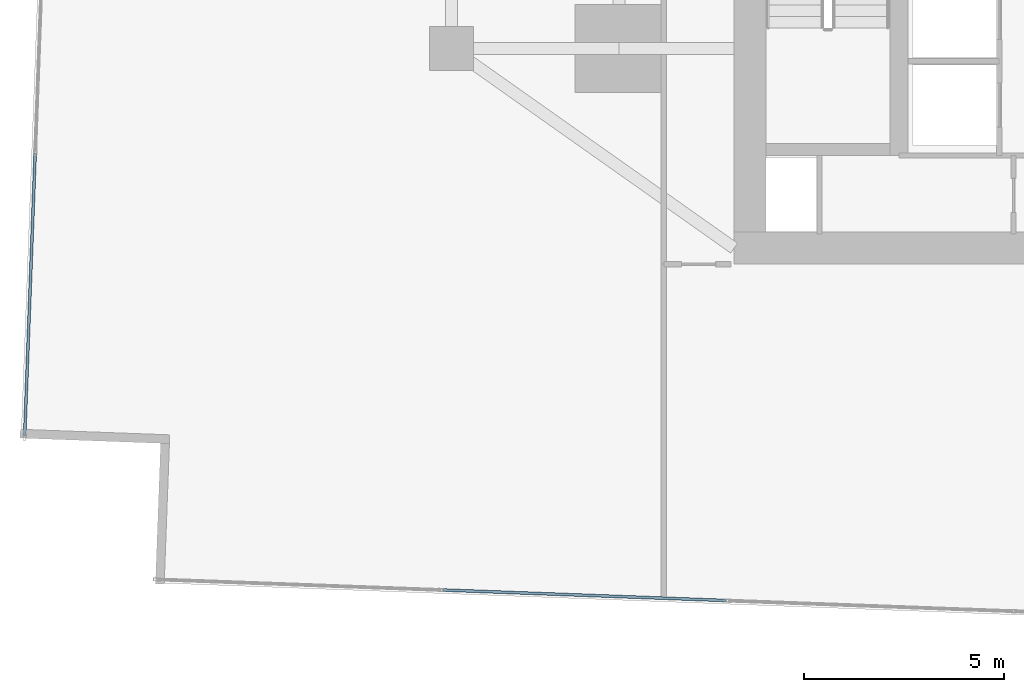
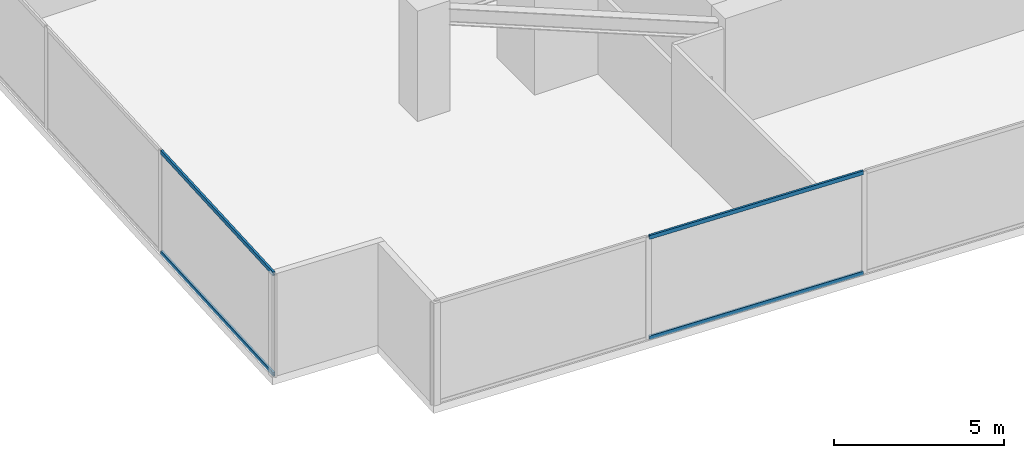
# One storey, part 3 of 30: 4 members, 2 elements without a shape of their own.
"""IFC4 building model written with IfcOpenShell, lengths in metres."""

from ifc_helpers import new_model, si_unit, direction, frame, origin, origin_2d, place, context, subcontext, project, spatial, hollow_rectangle, extrude, source, transform, mapped, material, material_profile, profile_set, type_object, type_shapes, element, aggregate, save


model = new_model("IFC4")

# Units and contexts
model_context = context("Model", 3, precision=1e-05, world=origin(), true_north=direction((0.0, 1.0)))
body_context = subcontext(model_context, "Body", "Model", "MODEL_VIEW")
ifc_project = project(units=[si_unit("LENGTHUNIT", "METRE"), si_unit("AREAUNIT", "SQUARE_METRE"), si_unit("VOLUMEUNIT", "CUBIC_METRE"), si_unit("PLANEANGLEUNIT", "RADIAN"), si_unit("MASSUNIT", "GRAM", prefix="KILO")], contexts=[model_context])

# Site, building, storey
site_placement = place(None, origin())
site = spatial("IfcSite", under=ifc_project, at=site_placement, CompositionType="ELEMENT")
building_placement = place(site_placement, origin())
building = spatial("IfcBuilding", under=site, at=building_placement, Name="Krantzveldt Concourse Tower", CompositionType="ELEMENT")
storey_placement = place(building_placement, frame((0.0, 0.0, 36.85009765625)))
storey = spatial("IfcBuildingStorey", under=building, at=storey_placement, Name="L08", CompositionType="ELEMENT", Elevation=36.85009765625)

# Curtain wall, members
ifc_material = material(Name="Anodised aluminium 6063-T6", Category="aluminium")
curtain_wall_type = type_object("IfcCurtainWallType", Name="CW2", PredefinedType="USERDEFINED", material=ifc_material)
curtain_wall_1_placement = place(storey_placement, origin())
curtain_wall_1 = element("IfcCurtainWall", 1, at=curtain_wall_1_placement, inside=storey, type_object=curtain_wall_type, Name="CW-L08-F01", ObjectType="UNITISED CURTAIN WALL", PredefinedType="USERDEFINED")
ifc_material_profile = material_profile(ifc_material, hollow_rectangle(XDim=0.070068359375, YDim=0.139892578125, WallThickness=0.0048828125, at=origin_2d()), Name="Anodised aluminium 6063-T6", Category="aluminium")
ifc_profile_set = profile_set([ifc_material_profile], Name="Anodised aluminium 6063-T6 - ALU-TRAN 140x70x5")
member_type = type_object("IfcMemberType", Name="CW-TRN-150", PredefinedType="USERDEFINED", material=ifc_profile_set)
shared_shape_1 = source(origin(), body_context, "Body", "SweptSolid", [
    extrude(hollow_rectangle(XDim=0.070068359375, YDim=0.139892578125, WallThickness=0.0048828125, at=origin_2d()), origin(), (0.0, 0.0, 1.0), 7.0615234375),
])
member_1_placement = place(storey_placement, frame((10.574462890625, 13.26513671875, 0.034912109375), z_axis=(-0.037097336281, -0.999311656912, 0.0), x_axis=(0.999311656912, -0.037097336281, 0.0)))
member_1 = element("IfcMember", 2, at=member_1_placement, type_object=member_type, Name="CW-Z12 transom 6.1", ObjectType="TRANSOM", PredefinedType="USERDEFINED", context=body_context, shape_type="MappedRepresentation", body=[
    mapped(shared_shape_1, transform((0.0, 0.0, 0.0), x_axis=(1.0, 0.0, 0.0), y_axis=(0.0, 1.0, 0.0), z_axis=(0.0, 0.0, 1.0), scale=1.0)),
])
member_2_placement = place(storey_placement, frame((10.574462890625, 13.26513671875, 3.635009765625), z_axis=(-0.037097336281, -0.999311656912, 0.0), x_axis=(0.999311656912, -0.037097336281, 0.0)))
member_2 = element("IfcMember", 3, at=member_2_placement, type_object=member_type, Name="CW-Z12 transom 6.2", ObjectType="TRANSOM", PredefinedType="USERDEFINED", context=body_context, shape_type="MappedRepresentation", body=[
    mapped(shared_shape_1, transform((0.0, 0.0, 0.0), x_axis=(1.0, 0.0, 0.0), y_axis=(0.0, 1.0, 0.0), z_axis=(0.0, 0.0, 1.0), scale=1.0)),
])
aggregate(curtain_wall_1, [member_1, member_2])

curtain_wall_2_placement = place(storey_placement, origin())
curtain_wall_2 = element("IfcCurtainWall", 4, at=curtain_wall_2_placement, inside=storey, type_object=curtain_wall_type, Name="CW-L08-F04", ObjectType="UNITISED CURTAIN WALL", PredefinedType="USERDEFINED")
shared_shape_2 = source(origin(), body_context, "Body", "SweptSolid", [
    extrude(hollow_rectangle(XDim=0.070068359375, YDim=0.139892578125, WallThickness=0.0048828125, at=origin_2d()), origin(), (0.0, 0.0, 1.0), 7.0966796875),
])
type_shapes(member_type, [shared_shape_1, shared_shape_2])
member_3_placement = place(storey_placement, frame((20.787841796875, 2.33740234375, 0.034912109375), z_axis=(0.999312097724, -0.037085459975, 0.0), x_axis=(0.037085459975, 0.999312097724, 0.0)))
member_3 = element("IfcMember", 5, at=member_3_placement, type_object=member_type, Name="CW-Z12 transom 2.1", ObjectType="TRANSOM", PredefinedType="USERDEFINED", context=body_context, shape_type="MappedRepresentation", body=[
    mapped(shared_shape_2, transform((0.0, 0.0, 0.0), x_axis=(1.0, 0.0, 0.0), y_axis=(0.0, 1.0, 0.0), z_axis=(0.0, 0.0, 1.0), scale=1.0)),
])
member_4_placement = place(storey_placement, frame((20.787841796875, 2.33740234375, 3.635009765625), z_axis=(0.999312097724, -0.037085459975, 0.0), x_axis=(0.037085459975, 0.999312097724, 0.0)))
member_4 = element("IfcMember", 6, at=member_4_placement, type_object=member_type, Name="CW-Z12 transom 2.2", ObjectType="TRANSOM", PredefinedType="USERDEFINED", context=body_context, shape_type="MappedRepresentation", body=[
    mapped(shared_shape_2, transform((0.0, 0.0, 0.0), x_axis=(1.0, 0.0, 0.0), y_axis=(0.0, 1.0, 0.0), z_axis=(0.0, 0.0, 1.0), scale=1.0)),
])
aggregate(curtain_wall_2, [member_3, member_4])

save(model, "model.ifc")
